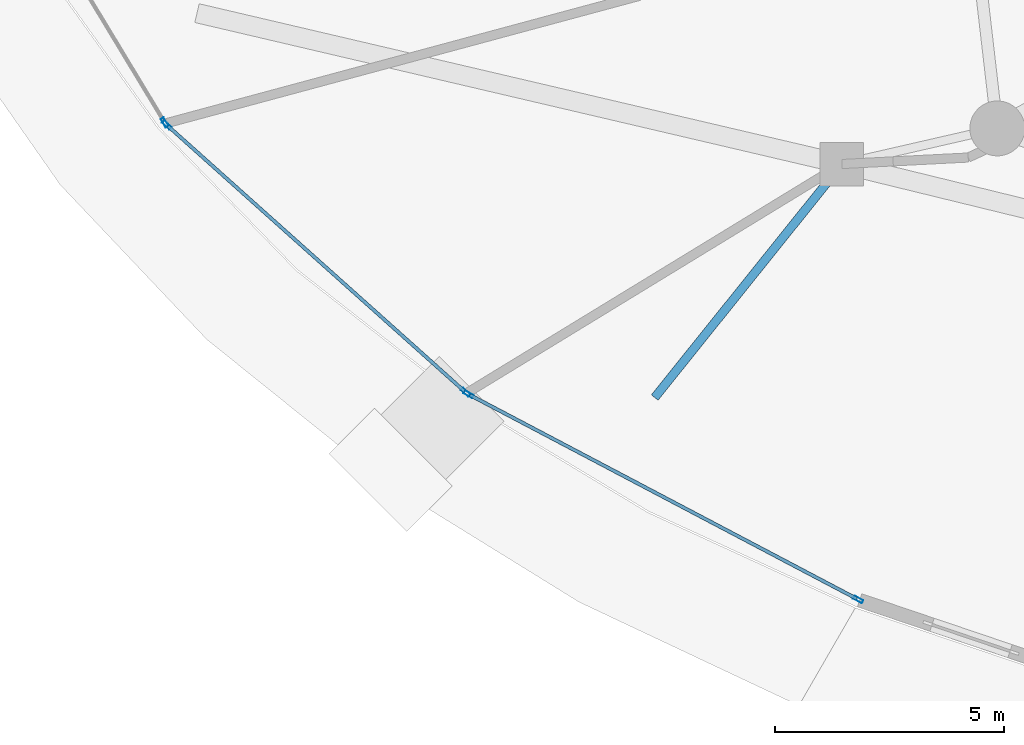
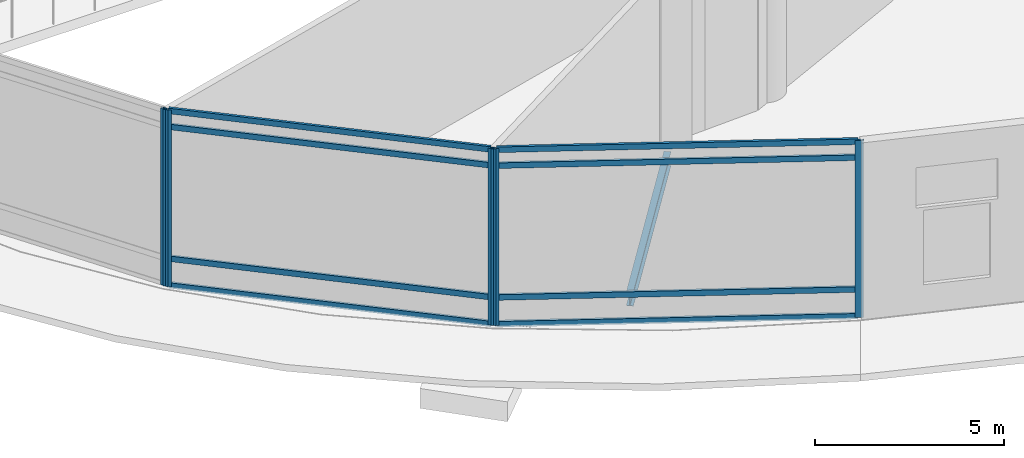
# One storey, part 8 of 40: 13 members, 1 beam, 3 elements without a shape of their own.
"""IFC4 building model written with IfcOpenShell, lengths in metres."""

from ifc_helpers import new_model, si_unit, direction, frame, origin, origin_2d, place, context, subcontext, project, spatial, hollow_rectangle, i_section, extrude, material, layer, layer_set, material_profile, profile_set, type_object, element, aggregate, save


model = new_model("IFC4")

# Units and contexts
model_context = context("Model", 3, precision=1e-05, world=origin(), true_north=direction((0.0, 1.0)))
body_context = subcontext(model_context, "Body", "Model", "MODEL_VIEW")
ifc_project = project(units=[si_unit("LENGTHUNIT", "METRE"), si_unit("AREAUNIT", "SQUARE_METRE"), si_unit("VOLUMEUNIT", "CUBIC_METRE"), si_unit("PLANEANGLEUNIT", "RADIAN"), si_unit("MASSUNIT", "GRAM", prefix="KILO")], contexts=[model_context])

# Site, building, storey
site_placement = place(None, origin())
site = spatial("IfcSite", under=ifc_project, at=site_placement, CompositionType="ELEMENT")
building_placement = place(site_placement, origin())
building = spatial("IfcBuilding", under=site, at=building_placement, Name="Nuhasar Tower", CompositionType="ELEMENT")
storey_placement = place(building_placement, origin())
storey = spatial("IfcBuildingStorey", under=building, at=storey_placement, Name="L00", CompositionType="ELEMENT", Elevation=0.0)

# Beam
ifc_material_1 = material(Name="Steel S355", Category="steel")
ifc_material_profile_1 = material_profile(ifc_material_1, i_section(OverallWidth=0.18994140625, OverallDepth=0.45703125, WebThickness=0.009033203125, FlangeThickness=0.014404296875, at=origin_2d()), Name="W18X50")
ifc_profile_set_1 = profile_set([ifc_material_profile_1], Name="Steel S355")
beam_type = type_object("IfcBeamType", Name="BM-RAD-W18X50", PredefinedType="BEAM", material=ifc_profile_set_1)
beam_placement = place(storey_placement, frame((17.89306640625, 11.702880859375, -0.548095703125), z_axis=(-0.625700397975, -0.780063466632, 0.0), x_axis=(0.780063466632, -0.625700397975, 0.0)))
element("IfcBeam", 1, at=beam_placement, inside=storey, type_object=beam_type, Name="L00 Substructure Cap Tie Girder 03", PredefinedType="BEAM", context=body_context, shape_type="SweptSolid", body=[
    extrude(i_section(OverallWidth=0.18994140625, OverallDepth=0.45703125, WebThickness=0.009033203125, FlangeThickness=0.014404296875, at=origin_2d()), origin(), (0.0, 0.0, 1.0), 6.54150390625),
])

# Curtain wall, member
ifc_material_2 = material(Name="Aluminium 6063-T6", Category="aluminium")
ifc_layer = layer(ifc_material_2, 0.219970703125)
ifc_layer_set = layer_set([ifc_layer], Name="Aluminium 6063-T6")
curtain_wall_type = type_object("IfcCurtainWallType", Name="CW-PODIUM", PredefinedType="NOTDEFINED", material=ifc_layer_set)
curtain_wall_1_placement = place(storey_placement, origin())
curtain_wall_1 = element("IfcCurtainWall", 2, at=curtain_wall_1_placement, inside=storey, type_object=curtain_wall_type, Name="L00 Podium Curtain Wall Bay 14", PredefinedType="NOTDEFINED")
ifc_material_profile_2 = material_profile(ifc_material_2, hollow_rectangle(XDim=0.074951171875, YDim=0.219970703125, WallThickness=0.0048828125, at=origin_2d()), Name="CWM-1")
ifc_profile_set_2 = profile_set([ifc_material_profile_2], Name="Aluminium 6063-T6")
member_type_1 = type_object("IfcMemberType", Name="CW-MUL-S1", PredefinedType="MULLION", material=ifc_profile_set_2)
member_1_placement = place(storey_placement, frame((3.092529296875, 12.612060546875, 0.0), z_axis=(0.0, 0.0, 1.0), x_axis=(0.856135297317, 0.516751732158, 0.0)))
member_1 = element("IfcMember", 3, at=member_1_placement, type_object=member_type_1, Name="CW-P1 mullion 2", PredefinedType="MULLION", context=body_context, shape_type="SweptSolid", body=[
    extrude(hollow_rectangle(XDim=0.074951171875, YDim=0.219970703125, WallThickness=0.0048828125, at=origin_2d()), origin(), (0.0, 0.0, 1.0), 5.699951171875),
])
aggregate(curtain_wall_1, [member_1])

# Curtain wall, members
curtain_wall_2_placement = place(storey_placement, origin())
curtain_wall_2 = element("IfcCurtainWall", 4, at=curtain_wall_2_placement, inside=storey, type_object=curtain_wall_type, Name="L00 Podium Curtain Wall Bay 15", PredefinedType="NOTDEFINED")
member_2_placement = place(storey_placement, frame((3.139892578125, 12.554931640625, 0.0), z_axis=(0.0, 0.0, 1.0), x_axis=(0.666679051092, 0.745344915348, 0.0)))
member_2 = element("IfcMember", 5, at=member_2_placement, type_object=member_type_1, Name="CW-P1 mullion 1", PredefinedType="MULLION", context=body_context, shape_type="SweptSolid", body=[
    extrude(hollow_rectangle(XDim=0.074951171875, YDim=0.219970703125, WallThickness=0.0048828125, at=origin_2d()), origin(), (0.0, 0.0, 1.0), 5.699951171875),
])
member_3_placement = place(storey_placement, frame((9.6689453125, 6.715087890625, 0.0), z_axis=(0.0, 0.0, 1.0), x_axis=(0.666679051092, 0.745344915348, 0.0)))
member_3 = element("IfcMember", 6, at=member_3_placement, type_object=member_type_1, Name="CW-P1 mullion 2", PredefinedType="MULLION", context=body_context, shape_type="SweptSolid", body=[
    extrude(hollow_rectangle(XDim=0.074951171875, YDim=0.219970703125, WallThickness=0.0048828125, at=origin_2d()), origin(), (0.0, 0.0, 1.0), 5.699951171875),
])

curtain_wall_3_placement = place(storey_placement, origin())
curtain_wall_3 = element("IfcCurtainWall", 7, at=curtain_wall_3_placement, inside=storey, type_object=curtain_wall_type, Name="L00 Podium Curtain Wall Bay 16", PredefinedType="NOTDEFINED")
member_4_placement = place(storey_placement, frame((9.730224609375, 6.672607421875, 0.0), z_axis=(0.0, 0.0, 1.0), x_axis=(0.46595885722, 0.88480638751, 0.0)))
member_4 = element("IfcMember", 8, at=member_4_placement, type_object=member_type_1, Name="CW-P1 mullion 1", PredefinedType="MULLION", context=body_context, shape_type="SweptSolid", body=[
    extrude(hollow_rectangle(XDim=0.074951171875, YDim=0.219970703125, WallThickness=0.0048828125, at=origin_2d()), origin(), (0.0, 0.0, 1.0), 5.699951171875),
])
member_5_placement = place(storey_placement, frame((18.246826171875, 2.1875, 0.0), z_axis=(0.0, 0.0, 1.0), x_axis=(0.46595885722, 0.88480638751, 0.0)))
member_5 = element("IfcMember", 9, at=member_5_placement, type_object=member_type_1, Name="CW-P1 mullion 2", PredefinedType="MULLION", context=body_context, shape_type="SweptSolid", body=[
    extrude(hollow_rectangle(XDim=0.074951171875, YDim=0.219970703125, WallThickness=0.0048828125, at=origin_2d()), origin(), (0.0, 0.0, 1.0), 5.699951171875),
])

# Member
ifc_material_profile_3 = material_profile(ifc_material_2, hollow_rectangle(XDim=0.074951171875, YDim=0.179931640625, WallThickness=0.00439453125, at=origin_2d()), Name="CWT-1")
ifc_profile_set_3 = profile_set([ifc_material_profile_3], Name="Aluminium 6063-T6")
member_type_2 = type_object("IfcMemberType", Name="CW-TRN-S1", PredefinedType="USERDEFINED", material=ifc_profile_set_3)
member_6_placement = place(storey_placement, frame((3.16796875, 12.530029296875, 0.03759765625), z_axis=(0.745339824264, -0.666684742862, 0.0), x_axis=(0.666684742862, 0.745339824264, 0.0)))
member_6 = element("IfcMember", 10, at=member_6_placement, type_object=member_type_2, Name="CW-P1 transom 1.1", ObjectType="TRANSOM", PredefinedType="USERDEFINED", context=body_context, shape_type="SweptSolid", body=[
    extrude(hollow_rectangle(XDim=0.074951171875, YDim=0.179931640625, WallThickness=0.00439453125, at=origin_2d()), origin(), (0.0, 0.0, 1.0), 8.684814453125),
])

member_7_placement = place(storey_placement, frame((3.16796875, 12.530029296875, 0.89990234375), z_axis=(0.745339824264, -0.666684742862, 0.0), x_axis=(0.666684742862, 0.745339824264, 0.0)))
member_7 = element("IfcMember", 11, at=member_7_placement, type_object=member_type_2, Name="CW-P1 transom 1.2", ObjectType="TRANSOM", PredefinedType="USERDEFINED", context=body_context, shape_type="SweptSolid", body=[
    extrude(hollow_rectangle(XDim=0.074951171875, YDim=0.179931640625, WallThickness=0.00439453125, at=origin_2d()), origin(), (0.0, 0.0, 1.0), 8.684814453125),
])

member_8_placement = place(storey_placement, frame((3.16796875, 12.530029296875, 5.14990234375), z_axis=(0.745339824264, -0.666684742862, 0.0), x_axis=(0.666684742862, 0.745339824264, 0.0)))
member_8 = element("IfcMember", 12, at=member_8_placement, type_object=member_type_2, Name="CW-P1 transom 1.3", ObjectType="TRANSOM", PredefinedType="USERDEFINED", context=body_context, shape_type="SweptSolid", body=[
    extrude(hollow_rectangle(XDim=0.074951171875, YDim=0.179931640625, WallThickness=0.00439453125, at=origin_2d()), origin(), (0.0, 0.0, 1.0), 8.684814453125),
])

member_9_placement = place(storey_placement, frame((3.16796875, 12.530029296875, 5.66259765625), z_axis=(0.745339824264, -0.666684742862, 0.0), x_axis=(0.666684742862, 0.745339824264, 0.0)))
member_9 = element("IfcMember", 13, at=member_9_placement, type_object=member_type_2, Name="CW-P1 transom 1.4", ObjectType="TRANSOM", PredefinedType="USERDEFINED", context=body_context, shape_type="SweptSolid", body=[
    extrude(hollow_rectangle(XDim=0.074951171875, YDim=0.179931640625, WallThickness=0.00439453125, at=origin_2d()), origin(), (0.0, 0.0, 1.0), 8.684814453125),
])

aggregate(curtain_wall_2, [member_2, member_3, member_6, member_7, member_8, member_9])

member_10_placement = place(storey_placement, frame((9.763427734375, 6.655029296875, 0.03759765625), z_axis=(0.884800635793, -0.465969778956, 0.0), x_axis=(0.465969778956, 0.884800635793, 0.0)))
member_10 = element("IfcMember", 14, at=member_10_placement, type_object=member_type_2, Name="CW-P1 transom 1.1", ObjectType="TRANSOM", PredefinedType="USERDEFINED", context=body_context, shape_type="SweptSolid", body=[
    extrude(hollow_rectangle(XDim=0.074951171875, YDim=0.179931640625, WallThickness=0.00439453125, at=origin_2d()), origin(), (0.0, 0.0, 1.0), 9.55029296875),
])

member_11_placement = place(storey_placement, frame((9.763427734375, 6.655029296875, 0.89990234375), z_axis=(0.884800635793, -0.465969778956, 0.0), x_axis=(0.465969778956, 0.884800635793, 0.0)))
member_11 = element("IfcMember", 15, at=member_11_placement, type_object=member_type_2, Name="CW-P1 transom 1.2", ObjectType="TRANSOM", PredefinedType="USERDEFINED", context=body_context, shape_type="SweptSolid", body=[
    extrude(hollow_rectangle(XDim=0.074951171875, YDim=0.179931640625, WallThickness=0.00439453125, at=origin_2d()), origin(), (0.0, 0.0, 1.0), 9.55029296875),
])

member_12_placement = place(storey_placement, frame((9.763427734375, 6.655029296875, 5.14990234375), z_axis=(0.884800635793, -0.465969778956, 0.0), x_axis=(0.465969778956, 0.884800635793, 0.0)))
member_12 = element("IfcMember", 16, at=member_12_placement, type_object=member_type_2, Name="CW-P1 transom 1.3", ObjectType="TRANSOM", PredefinedType="USERDEFINED", context=body_context, shape_type="SweptSolid", body=[
    extrude(hollow_rectangle(XDim=0.074951171875, YDim=0.179931640625, WallThickness=0.00439453125, at=origin_2d()), origin(), (0.0, 0.0, 1.0), 9.55029296875),
])

member_13_placement = place(storey_placement, frame((9.763427734375, 6.655029296875, 5.66259765625), z_axis=(0.884800635793, -0.465969778956, 0.0), x_axis=(0.465969778956, 0.884800635793, 0.0)))
member_13 = element("IfcMember", 17, at=member_13_placement, type_object=member_type_2, Name="CW-P1 transom 1.4", ObjectType="TRANSOM", PredefinedType="USERDEFINED", context=body_context, shape_type="SweptSolid", body=[
    extrude(hollow_rectangle(XDim=0.074951171875, YDim=0.179931640625, WallThickness=0.00439453125, at=origin_2d()), origin(), (0.0, 0.0, 1.0), 9.55029296875),
])

aggregate(curtain_wall_3, [member_4, member_5, member_10, member_11, member_12, member_13])

save(model, "model.ifc")
